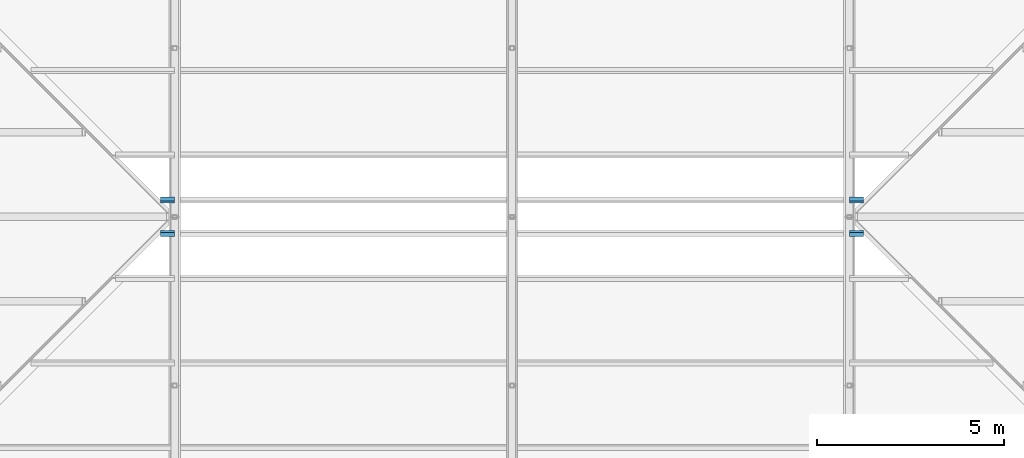
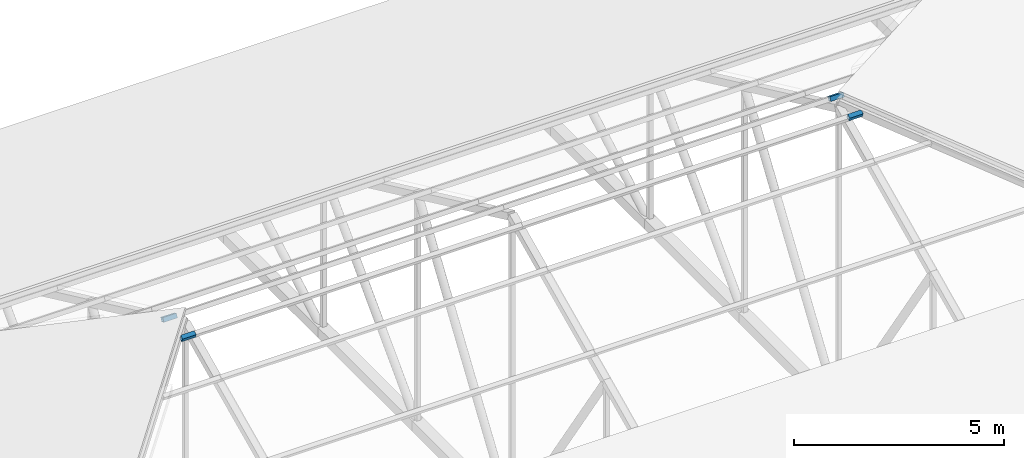
# One storey, part 83 of 154: 4 members.
"""IFC4 building model written with IfcOpenShell, lengths in metres."""

from ifc_helpers import new_model, si_unit, direction, frame, origin, origin_2d, place, context, subcontext, project, spatial, hollow_rectangle, extrude, material, material_profile, profile_set, type_object, element, save


model = new_model("IFC4")

# Units and contexts
model_context = context("Model", 3, precision=1e-05, world=origin(), true_north=direction((0.0, 1.0)))
body_context = subcontext(model_context, "Body", "Model", "MODEL_VIEW")
ifc_project = project(units=[si_unit("LENGTHUNIT", "METRE"), si_unit("AREAUNIT", "SQUARE_METRE"), si_unit("VOLUMEUNIT", "CUBIC_METRE"), si_unit("PLANEANGLEUNIT", "RADIAN"), si_unit("MASSUNIT", "GRAM", prefix="KILO")], contexts=[model_context])

# Site, building, storey
site_placement = place(None, origin())
site = spatial("IfcSite", under=ifc_project, at=site_placement, CompositionType="ELEMENT")
building_placement = place(site_placement, origin())
building = spatial("IfcBuilding", under=site, at=building_placement, Name="Golden Quay Civic Hall", CompositionType="ELEMENT")
storey_placement = place(building_placement, frame((0.0, 0.0, 14.39990234375)))
storey = spatial("IfcBuildingStorey", under=building, at=storey_placement, Name="L03", CompositionType="ELEMENT", Elevation=14.39990234375)

# Members
ifc_material = material(Name="Steel S355", Category="steel")
ifc_material_profile = material_profile(ifc_material, hollow_rectangle(XDim=0.1201171875, YDim=0.1201171875, WallThickness=0.008056640625, at=origin_2d()), Name="SHS 120x120x8")
ifc_profile_set = profile_set([ifc_material_profile], Name="Steel S355")
member_type = type_object("IfcMemberType", Name="Steel roof purlin SHS 120x120x8", PredefinedType="PURLIN", material=ifc_profile_set)
for number, where, z_axis, x_axis, name in (
    (1, (134.625, 80.550048828125, 8.688232421875), (1.0, 0.0, 0.0), (0.0, 0.906307787037, 0.422618261741), "Purlin south 10-1 L03"),
    (2, (153.0, 80.550048828125, 8.688232421875), (1.0, 0.0, 0.0), (0.0, 0.906307787037, 0.422618261741), "Purlin south 10-4 L03"),
    (3, (134.625, 81.449951171875, 8.688232421875), (1.0, 0.0, 0.0), (0.0, 0.906307787037, -0.422618261741), "Purlin north 10-1 L03"),
    (4, (153.0, 81.449951171875, 8.688232421875), (1.0, 0.0, 0.0), (0.0, 0.906307787037, -0.422618261741), "Purlin north 10-4 L03"),
):
    element("IfcMember", number, at=place(storey_placement, frame(where, z_axis=z_axis, x_axis=x_axis)), inside=storey, type_object=member_type, Name=name, PredefinedType="PURLIN", context=body_context, shape_type="SweptSolid", body=[
        extrude(hollow_rectangle(XDim=0.1201171875, YDim=0.1201171875, WallThickness=0.008056640625, at=origin_2d()), origin(), (0.0, 0.0, 1.0), 0.375),
    ])

save(model, "model.ifc")
